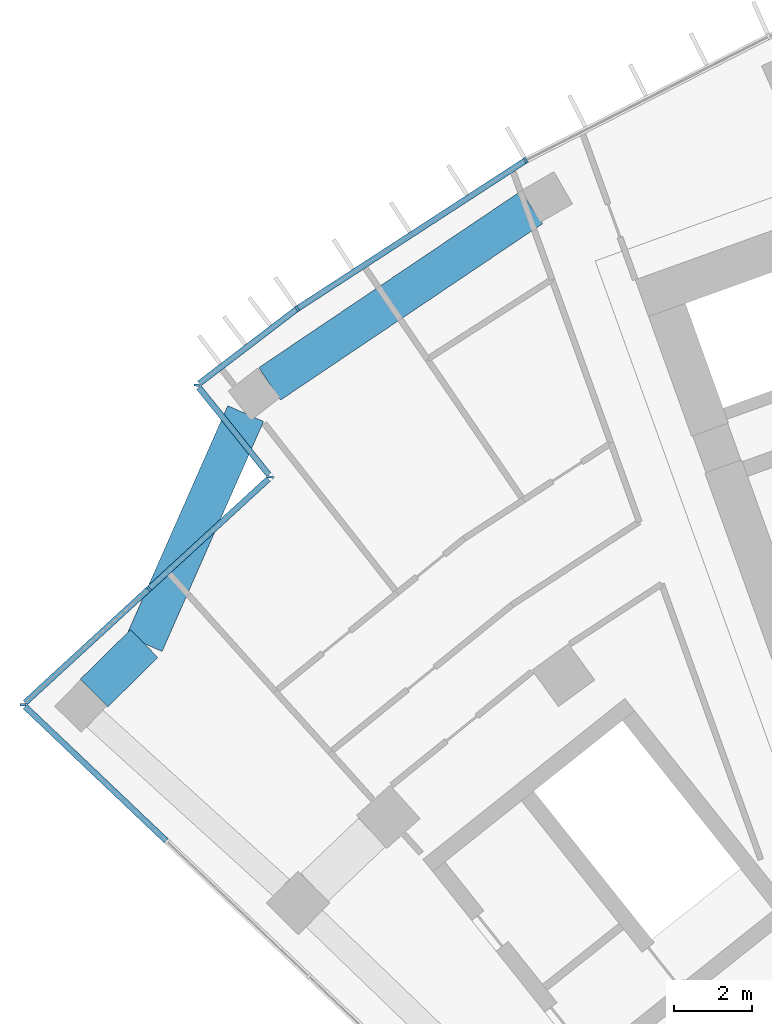
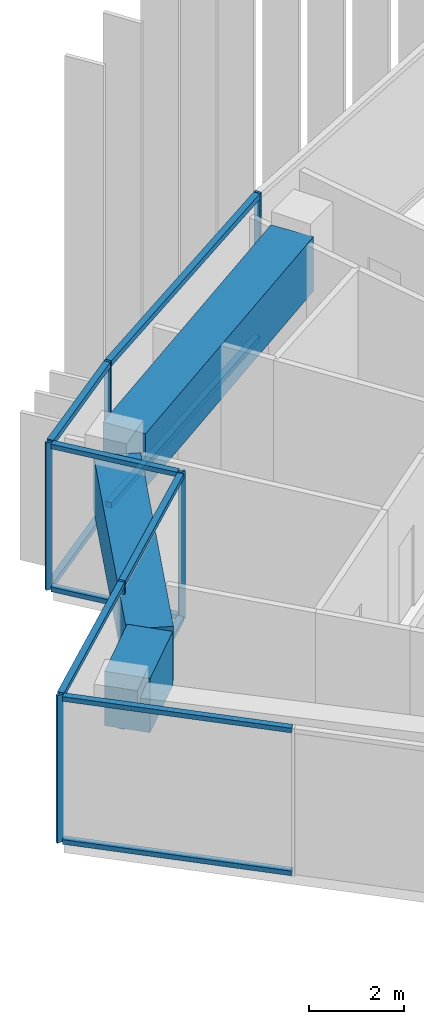
# One storey, part 3 of 20: 17 members, 3 beams, 4 elements without a shape of their own.
"""IFC4 building model written with IfcOpenShell, lengths in metres."""

from ifc_helpers import new_model, si_unit, direction, frame, origin, origin_2d, place, context, subcontext, project, spatial, rectangle, extrude, material, layer, layer_set, material_profile, profile_set, type_object, element, aggregate, save


model = new_model("IFC4")

# Units and contexts
model_context = context("Model", 3, precision=1e-05, world=origin(), true_north=direction((0.0, 1.0)))
body_context = subcontext(model_context, "Body", "Model", "MODEL_VIEW")
ifc_project = project(units=[si_unit("LENGTHUNIT", "METRE"), si_unit("AREAUNIT", "SQUARE_METRE"), si_unit("VOLUMEUNIT", "CUBIC_METRE"), si_unit("PLANEANGLEUNIT", "RADIAN"), si_unit("MASSUNIT", "GRAM", prefix="KILO")], contexts=[model_context])

# Site, building, storey
site_placement = place(None, origin())
site = spatial("IfcSite", under=ifc_project, at=site_placement, CompositionType="ELEMENT")
building_placement = place(site_placement, origin())
building = spatial("IfcBuilding", under=site, at=building_placement, Name="Stone Belt Terrace Tower", CompositionType="ELEMENT")
storey_placement = place(building_placement, frame((0.0, 0.0, 212.39990234375)))
storey = spatial("IfcBuildingStorey", under=building, at=storey_placement, Name="L51", CompositionType="ELEMENT", Elevation=212.39990234375)

# Curtain wall, members
ifc_material_1 = material(Name="Aluminium 6063-T6 anodised frame", Category="aluminium")
ifc_layer_1 = layer(ifc_material_1, 0.14990234375)
ifc_layer_set_1 = layer_set([ifc_layer_1], Name="CW-A unitised convex-face curtain wall")
curtain_wall_type_1 = type_object("IfcCurtainWallType", Name="CW-A unitised convex-face curtain wall", PredefinedType="NOTDEFINED", material=ifc_layer_set_1)
curtain_wall_1_placement = place(storey_placement, origin())
curtain_wall_1 = element("IfcCurtainWall", 1, at=curtain_wall_1_placement, inside=storey, type_object=curtain_wall_type_1, Name="CW-A convex face L51", PredefinedType="NOTDEFINED")
ifc_material_profile_1 = material_profile(ifc_material_1, rectangle(XDim=0.14990234375, YDim=0.06005859375, at=origin_2d()), Name="Aluminium 6063-T6 60x150")
ifc_profile_set_1 = profile_set([ifc_material_profile_1], Name="Aluminium 6063-T6 anodised frame")
member_type_1 = type_object("IfcMemberType", Name="CW-A mullion 60 x 150", PredefinedType="MULLION", material=ifc_profile_set_1)
member_1_placement = place(storey_placement, frame((-33.28759765625, 57.65576171875, 0.0), z_axis=(0.0, 0.0, 1.0), x_axis=(0.5, -0.866025403784, 0.0)))
member_1 = element("IfcMember", 2, at=member_1_placement, type_object=member_type_1, Name="CW-A mullion 14", PredefinedType="MULLION", context=body_context, shape_type="SweptSolid", body=[
    extrude(rectangle(XDim=0.14990234375, YDim=0.06005859375, at=origin_2d()), origin(), (0.0, 0.0, 1.0), 3.800048828125),
])
member_2_placement = place(storey_placement, frame((-39.130859375, 53.861083984375, 0.0), z_axis=(0.0, 0.0, 1.0), x_axis=(0.576101937282, -0.81737785501, 0.0)))
member_2 = element("IfcMember", 3, at=member_2_placement, type_object=member_type_1, Name="CW-A mullion 15", PredefinedType="MULLION", context=body_context, shape_type="SweptSolid", body=[
    extrude(rectangle(XDim=0.14990234375, YDim=0.06005859375, at=origin_2d()), origin(), (0.0, 0.0, 1.0), 3.800048828125),
])
ifc_material_profile_2 = material_profile(ifc_material_1, rectangle(XDim=0.14990234375, YDim=0.139892578125, at=origin_2d()), Name="Aluminium 6063-T6 150x140")
ifc_profile_set_2 = profile_set([ifc_material_profile_2], Name="Aluminium 6063-T6 anodised frame")
member_type_2 = type_object("IfcMemberType", Name="CW-A transom 140 x 150", PredefinedType="USERDEFINED", material=ifc_profile_set_2)
member_3_placement = place(storey_placement, frame((-33.31591796875, 57.63720703125, 0.070068359375), z_axis=(-0.83868440714, -0.544617723931, 0.0), x_axis=(0.544617723931, -0.83868440714, 0.0)))
member_3 = element("IfcMember", 4, at=member_3_placement, type_object=member_type_2, Name="CW-A transom 14.1", ObjectType="TRANSOM", PredefinedType="USERDEFINED", context=body_context, shape_type="SweptSolid", body=[
    extrude(rectangle(XDim=0.14990234375, YDim=0.139892578125, at=origin_2d()), origin(), (0.0, 0.0, 1.0), 6.90087890625),
])
member_4_placement = place(storey_placement, frame((-33.31591796875, 57.63720703125, 3.72998046875), z_axis=(-0.83868440714, -0.544617723931, 0.0), x_axis=(0.544617723931, -0.83868440714, 0.0)))
member_4 = element("IfcMember", 5, at=member_4_placement, type_object=member_type_2, Name="CW-A transom 14.2", ObjectType="TRANSOM", PredefinedType="USERDEFINED", context=body_context, shape_type="SweptSolid", body=[
    extrude(rectangle(XDim=0.14990234375, YDim=0.139892578125, at=origin_2d()), origin(), (0.0, 0.0, 1.0), 6.90087890625),
])
member_5_placement = place(storey_placement, frame((-39.156982421875, 53.841064453125, 0.070068359375), z_axis=(-0.794929356571, -0.606702001036, 0.0), x_axis=(0.606702001036, -0.794929356571, 0.0)))
member_5 = element("IfcMember", 6, at=member_5_placement, type_object=member_type_2, Name="CW-A transom 15.1", ObjectType="TRANSOM", PredefinedType="USERDEFINED", context=body_context, shape_type="SweptSolid", body=[
    extrude(rectangle(XDim=0.14990234375, YDim=0.139892578125, at=origin_2d()), origin(), (0.0, 0.0, 1.0), 3.1142578125),
])
member_6_placement = place(storey_placement, frame((-39.156982421875, 53.841064453125, 3.72998046875), z_axis=(-0.794929356571, -0.606702001036, 0.0), x_axis=(0.606702001036, -0.794929356571, 0.0)))
member_6 = element("IfcMember", 7, at=member_6_placement, type_object=member_type_2, Name="CW-A transom 15.2", ObjectType="TRANSOM", PredefinedType="USERDEFINED", context=body_context, shape_type="SweptSolid", body=[
    extrude(rectangle(XDim=0.14990234375, YDim=0.139892578125, at=origin_2d()), origin(), (0.0, 0.0, 1.0), 3.1142578125),
])
aggregate(curtain_wall_1, [member_1, member_2, member_3, member_4, member_5, member_6])

# Curtain wall, member
ifc_layer_2 = layer(ifc_material_1, 0.14990234375)
ifc_layer_set_2 = layer_set([ifc_layer_2], Name="CW-C stick curtain wall, horn ends and notches")
curtain_wall_type_2 = type_object("IfcCurtainWallType", Name="CW-C stick curtain wall, horn ends and notches", PredefinedType="NOTDEFINED", material=ifc_layer_set_2)
curtain_wall_2_placement = place(storey_placement, origin())
curtain_wall_2 = element("IfcCurtainWall", 8, at=curtain_wall_2_placement, inside=storey, type_object=curtain_wall_type_2, Name="CW-C notch face L51", PredefinedType="NOTDEFINED")
ifc_material_profile_3 = material_profile(ifc_material_1, rectangle(XDim=0.14990234375, YDim=0.06005859375, at=origin_2d()), Name="Aluminium 6063-T6 60x150")
ifc_profile_set_3 = profile_set([ifc_material_profile_3], Name="Aluminium 6063-T6 anodised frame")
member_type_3 = type_object("IfcMemberType", Name="CW-C mullion 60 x 150", PredefinedType="MULLION", material=ifc_profile_set_3)
member_7_placement = place(storey_placement, frame((-41.69189453125, 51.90625, 0.0), z_axis=(0.0, 0.0, 1.0), x_axis=(0.992610915528, -0.121340720183, 0.0)))
member_7 = element("IfcMember", 9, at=member_7_placement, type_object=member_type_3, Name="CW-C mullion 1", PredefinedType="MULLION", context=body_context, shape_type="SweptSolid", body=[
    extrude(rectangle(XDim=0.14990234375, YDim=0.06005859375, at=origin_2d()), origin(), (0.0, 0.0, 1.0), 3.800048828125),
])

# Curtain wall, members
curtain_wall_3_placement = place(storey_placement, origin())
curtain_wall_3 = element("IfcCurtainWall", 10, at=curtain_wall_3_placement, inside=storey, type_object=curtain_wall_type_2, Name="CW-C notch face L51", PredefinedType="NOTDEFINED")
member_8_placement = place(storey_placement, frame((-39.8115234375, 49.56005859375, 0.0), z_axis=(0.0, 0.0, 1.0), x_axis=(0.99711393405, -0.07591971103, 0.0)))
member_8 = element("IfcMember", 11, at=member_8_placement, type_object=member_type_3, Name="CW-C mullion 1", PredefinedType="MULLION", context=body_context, shape_type="SweptSolid", body=[
    extrude(rectangle(XDim=0.14990234375, YDim=0.06005859375, at=origin_2d()), origin(), (0.0, 0.0, 1.0), 3.800048828125),
])
member_9_placement = place(storey_placement, frame((-42.92138671875, 46.701904296875, 0.0), z_axis=(0.0, 0.0, 1.0), x_axis=(0.676676945985, -0.736280049148, 0.0)))
member_9 = element("IfcMember", 12, at=member_9_placement, type_object=member_type_3, Name="CW-C mullion 2", PredefinedType="MULLION", context=body_context, shape_type="SweptSolid", body=[
    extrude(rectangle(XDim=0.14990234375, YDim=0.06005859375, at=origin_2d()), origin(), (0.0, 0.0, 1.0), 3.800048828125),
])

# Curtain wall, member
curtain_wall_4_placement = place(storey_placement, origin())
curtain_wall_4 = element("IfcCurtainWall", 13, at=curtain_wall_4_placement, inside=storey, type_object=curtain_wall_type_2, Name="CW-C end face L51", PredefinedType="NOTDEFINED")
member_10_placement = place(storey_placement, frame((-46.141845703125, 43.7421875, 0.0), z_axis=(0.0, 0.0, 1.0), x_axis=(0.999965358551, -0.008323562836, 0.0)))
member_10 = element("IfcMember", 14, at=member_10_placement, type_object=member_type_3, Name="CW-C mullion 1", PredefinedType="MULLION", context=body_context, shape_type="SweptSolid", body=[
    extrude(rectangle(XDim=0.14990234375, YDim=0.06005859375, at=origin_2d()), origin(), (0.0, 0.0, 1.0), 3.800048828125),
])

# Member
ifc_material_profile_4 = material_profile(ifc_material_1, rectangle(XDim=0.14990234375, YDim=0.1201171875, at=origin_2d()), Name="Aluminium 6063-T6 150x120")
ifc_profile_set_4 = profile_set([ifc_material_profile_4], Name="Aluminium 6063-T6 anodised frame")
member_type_4 = type_object("IfcMemberType", Name="CW-C transom 120 x 150", PredefinedType="USERDEFINED", material=ifc_profile_set_4)
member_11_placement = place(storey_placement, frame((-41.645263671875, 51.84814453125, 0.06005859375), z_axis=(0.625350914086, -0.780343664197, 0.0), x_axis=(0.780343664197, 0.625350914086, 0.0)))
member_11 = element("IfcMember", 15, at=member_11_placement, type_object=member_type_4, Name="CW-C transom 1.1", ObjectType="TRANSOM", PredefinedType="USERDEFINED", context=body_context, shape_type="SweptSolid", body=[
    extrude(rectangle(XDim=0.14990234375, YDim=0.1201171875, at=origin_2d()), origin(), (0.0, 0.0, 1.0), 2.85888671875),
])

member_12_placement = place(storey_placement, frame((-41.645263671875, 51.84814453125, 3.739990234375), z_axis=(0.625350914086, -0.780343664197, 0.0), x_axis=(0.780343664197, 0.625350914086, 0.0)))
member_12 = element("IfcMember", 16, at=member_12_placement, type_object=member_type_4, Name="CW-C transom 1.2", ObjectType="TRANSOM", PredefinedType="USERDEFINED", context=body_context, shape_type="SweptSolid", body=[
    extrude(rectangle(XDim=0.14990234375, YDim=0.1201171875, at=origin_2d()), origin(), (0.0, 0.0, 1.0), 2.85888671875),
])

aggregate(curtain_wall_2, [member_7, member_11, member_12])

member_13_placement = place(storey_placement, frame((-39.865478515625, 49.510498046875, 0.06005859375), z_axis=(-0.736309968185, -0.676644390172, 0.0), x_axis=(0.676644390172, -0.736309968185, 0.0)))
member_13 = element("IfcMember", 17, at=member_13_placement, type_object=member_type_4, Name="CW-C transom 1.1", ObjectType="TRANSOM", PredefinedType="USERDEFINED", context=body_context, shape_type="SweptSolid", body=[
    extrude(rectangle(XDim=0.14990234375, YDim=0.1201171875, at=origin_2d()), origin(), (0.0, 0.0, 1.0), 4.120361328125),
])

member_14_placement = place(storey_placement, frame((-39.865478515625, 49.510498046875, 3.739990234375), z_axis=(-0.736309968185, -0.676644390172, 0.0), x_axis=(0.676644390172, -0.736309968185, 0.0)))
member_14 = element("IfcMember", 18, at=member_14_placement, type_object=member_type_4, Name="CW-C transom 1.2", ObjectType="TRANSOM", PredefinedType="USERDEFINED", context=body_context, shape_type="SweptSolid", body=[
    extrude(rectangle(XDim=0.14990234375, YDim=0.1201171875, at=origin_2d()), origin(), (0.0, 0.0, 1.0), 4.120361328125),
])

member_15_placement = place(storey_placement, frame((-42.943603515625, 46.681640625, 3.739990234375), z_axis=(-0.736277458535, -0.676679764773, 0.0), x_axis=(0.676679764773, -0.736277458535, 0.0)))
member_15 = element("IfcMember", 19, at=member_15_placement, type_object=member_type_4, Name="CW-C transom 2.1", ObjectType="TRANSOM", PredefinedType="USERDEFINED", context=body_context, shape_type="SweptSolid", body=[
    extrude(rectangle(XDim=0.14990234375, YDim=0.1201171875, at=origin_2d()), origin(), (0.0, 0.0, 1.0), 4.2685546875),
])

aggregate(curtain_wall_3, [member_8, member_9, member_13, member_14, member_15])

member_16_placement = place(storey_placement, frame((-46.08740234375, 43.6904296875, 0.06005859375), z_axis=(0.72491121173, -0.688842315126, 0.0), x_axis=(0.688842315126, 0.72491121173, 0.0)))
member_16 = element("IfcMember", 20, at=member_16_placement, type_object=member_type_4, Name="CW-C transom 1.1", ObjectType="TRANSOM", PredefinedType="USERDEFINED", context=body_context, shape_type="SweptSolid", body=[
    extrude(rectangle(XDim=0.14990234375, YDim=0.1201171875, at=origin_2d()), origin(), (0.0, 0.0, 1.0), 4.97509765625),
])

member_17_placement = place(storey_placement, frame((-46.08740234375, 43.6904296875, 3.739990234375), z_axis=(0.72491121173, -0.688842315126, 0.0), x_axis=(0.688842315126, 0.72491121173, 0.0)))
member_17 = element("IfcMember", 21, at=member_17_placement, type_object=member_type_4, Name="CW-C transom 1.2", ObjectType="TRANSOM", PredefinedType="USERDEFINED", context=body_context, shape_type="SweptSolid", body=[
    extrude(rectangle(XDim=0.14990234375, YDim=0.1201171875, at=origin_2d()), origin(), (0.0, 0.0, 1.0), 4.97509765625),
])

aggregate(curtain_wall_4, [member_10, member_16, member_17])

# Beams
ifc_material_2 = material(Name="Concrete B80", Category="concrete")
ifc_material_profile_5 = material_profile(ifc_material_2, rectangle(XDim=1.0, YDim=1.39990234375, at=origin_2d()), Name="RC 1000x1400")
ifc_profile_set_5 = profile_set([ifc_material_profile_5], Name="Concrete B80")
beam_type = type_object("IfcBeamType", Name="Transfer beam RC 1000x1400 B80", PredefinedType="BEAM", material=ifc_profile_set_5)
beam_1_placement = place(storey_placement, frame((-44.322021484375, 44.04052734375, 2.780029296875), z_axis=(0.712318074835, 0.701856794697, 0.0), x_axis=(-0.701856794697, 0.712318074835, 0.0)))
element("IfcBeam", 22, at=beam_1_placement, inside=storey, type_object=beam_type, Name="Transfer beam L51 RRA-RA", PredefinedType="BEAM", context=body_context, shape_type="SweptSolid", body=[
    extrude(rectangle(XDim=1.0, YDim=1.39990234375, at=origin_2d()), origin(), (0.0, 0.0, 1.0), 1.796875),
])
beam_2_placement = place(storey_placement, frame((-43.0419921875, 45.3017578125, 2.780029296875), z_axis=(0.403577532594, 0.914945449295, 0.0), x_axis=(-0.914945449295, 0.403577532594, 0.0)))
element("IfcBeam", 23, at=beam_2_placement, inside=storey, type_object=beam_type, Name="Transfer beam L51 RRA-RNA", PredefinedType="BEAM", context=body_context, shape_type="SweptSolid", body=[
    extrude(rectangle(XDim=1.0, YDim=1.39990234375, at=origin_2d()), origin(), (0.0, 0.0, 1.0), 6.42578125),
])
beam_3_placement = place(storey_placement, frame((-39.836181640625, 51.9404296875, 2.780029296875), z_axis=(0.829510694053, 0.558490831126, 0.0), x_axis=(-0.558490831126, 0.829510694053, 0.0)))
element("IfcBeam", 24, at=beam_3_placement, inside=storey, type_object=beam_type, Name="Transfer beam L51 RRNA-R17", PredefinedType="BEAM", context=body_context, shape_type="SweptSolid", body=[
    extrude(rectangle(XDim=1.0, YDim=1.39990234375, at=origin_2d()), origin(), (0.0, 0.0, 1.0), 8.0732421875),
])

save(model, "model.ifc")
